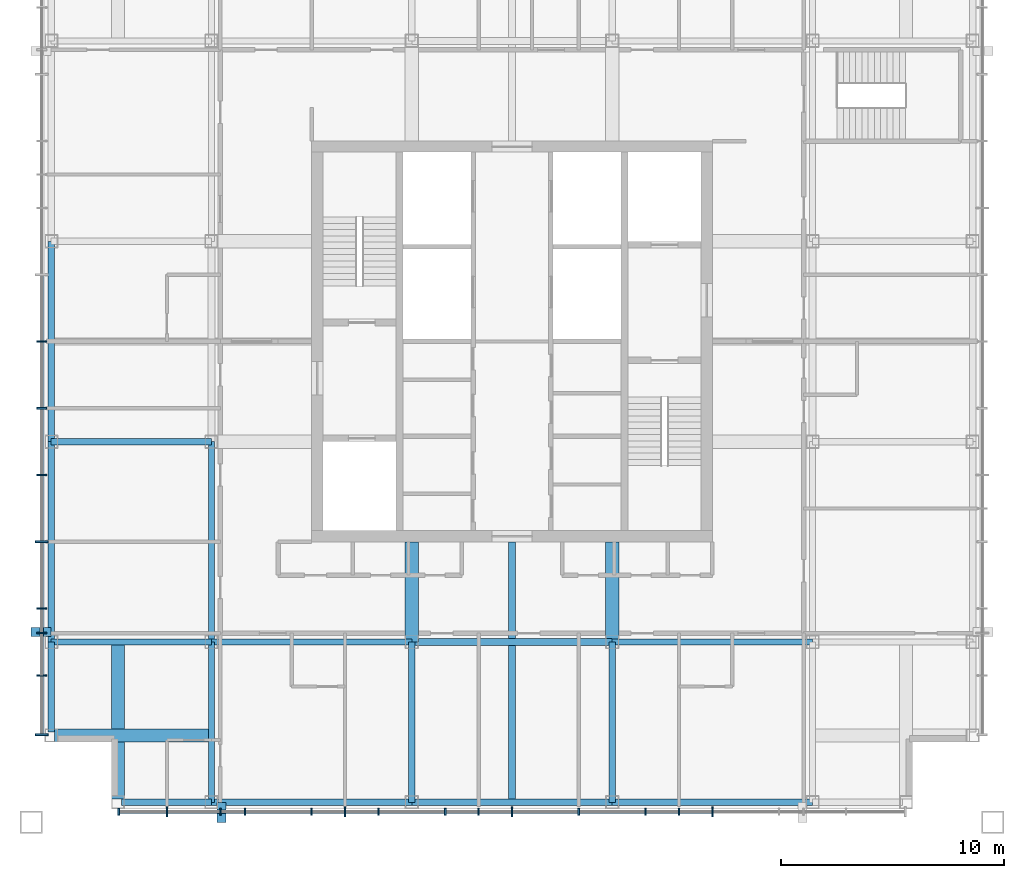
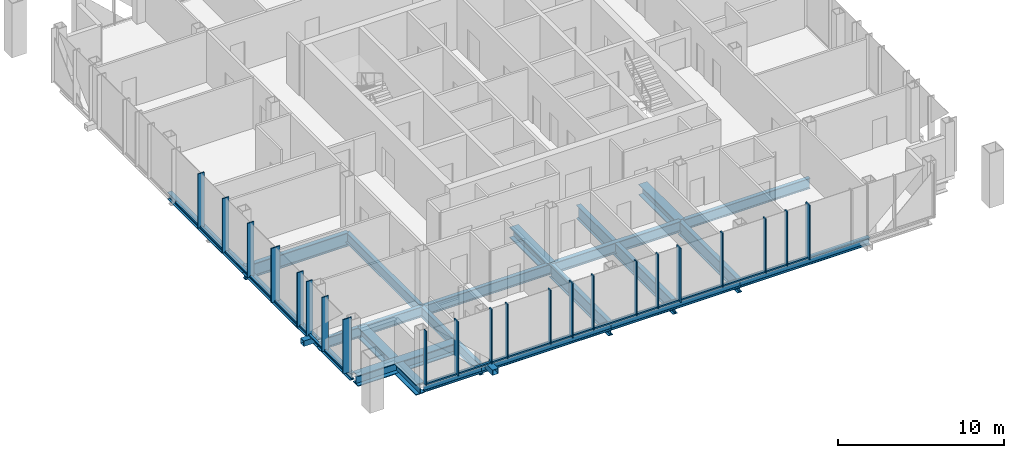
# One storey, part 2 of 11: 45 members, 21 beams, 2 elements without a shape of their own.
"""IFC4 building model written with IfcOpenShell, lengths in metres."""

from ifc_helpers import new_model, si_unit, direction, frame, origin, origin_2d, place, context, subcontext, project, spatial, rectangle, hollow_rectangle, i_section, extrude, material, layer, layer_set, material_profile, profile_set, type_object, element, aggregate, save


model = new_model("IFC4")

# Units and contexts
model_context = context("Model", 3, precision=1e-05, world=origin(), true_north=direction((0.0, 1.0)))
body_context = subcontext(model_context, "Body", "Model", "MODEL_VIEW")
ifc_project = project(units=[si_unit("LENGTHUNIT", "METRE"), si_unit("AREAUNIT", "SQUARE_METRE"), si_unit("VOLUMEUNIT", "CUBIC_METRE"), si_unit("PLANEANGLEUNIT", "RADIAN"), si_unit("MASSUNIT", "GRAM", prefix="KILO")], contexts=[model_context])

# Site, building, storey
site_placement = place(None, origin())
site = spatial("IfcSite", under=ifc_project, at=site_placement, CompositionType="ELEMENT")
building_placement = place(site_placement, origin())
building = spatial("IfcBuilding", under=site, at=building_placement, Name="Malebo Sky Hospital", CompositionType="ELEMENT")
storey_placement = place(building_placement, frame((0.0, 0.0, 282.0)))
storey = spatial("IfcBuildingStorey", under=building, at=storey_placement, Name="L68", CompositionType="ELEMENT", Elevation=282.0)

# Curtain wall, members
ifc_material_1 = material(Name="Anodised aluminium, natural silver", Category="aluminium")
ifc_layer_1 = layer(ifc_material_1, 0.25)
ifc_layer_set_1 = layer_set([ifc_layer_1], Name="WARD CURTAIN WALL EAST AND WEST")
curtain_wall_type_1 = type_object("IfcCurtainWallType", Name="WARD CURTAIN WALL EAST AND WEST", PredefinedType="NOTDEFINED", material=ifc_layer_set_1)
curtain_wall_1_placement = place(storey_placement, origin())
curtain_wall_1 = element("IfcCurtainWall", 1, at=curtain_wall_1_placement, inside=storey, type_object=curtain_wall_type_1, Name="EW curtain wall W", PredefinedType="NOTDEFINED")
ifc_material_profile_1 = material_profile(ifc_material_1, rectangle(XDim=0.14990234375, YDim=0.10009765625, at=origin_2d()), Name="ALUMINIUM TRANSOM 150x100")
ifc_profile_set_1 = profile_set([ifc_material_profile_1], Name="Anodised aluminium, natural silver")
member_type_1 = type_object("IfcMemberType", Name="ALUMINIUM TRANSOM 150x100", PredefinedType="USERDEFINED", material=ifc_profile_set_1)
member_1_placement = place(storey_placement, frame((38.875, 44.375, 0.050048828125), z_axis=(0.0, 1.0, 0.0), x_axis=(-1.0, 0.0, 0.0)))
member_1 = element("IfcMember", 2, at=member_1_placement, type_object=member_type_1, Name="Transom 1", ObjectType="TRANSOM", PredefinedType="USERDEFINED", context=body_context, shape_type="SweptSolid", body=[
    extrude(rectangle(XDim=0.14990234375, YDim=0.10009765625, at=origin_2d()), origin(), (0.0, 0.0, 1.0), 2.58740234375),
])
member_2_placement = place(storey_placement, frame((38.875, 47.03759765625, 0.050048828125), z_axis=(0.0, 1.0, 0.0), x_axis=(-1.0, 0.0, 0.0)))
member_2 = element("IfcMember", 3, at=member_2_placement, type_object=member_type_1, Name="Transom 2", ObjectType="TRANSOM", PredefinedType="USERDEFINED", context=body_context, shape_type="SweptSolid", body=[
    extrude(rectangle(XDim=0.14990234375, YDim=0.10009765625, at=origin_2d()), origin(), (0.0, 0.0, 1.0), 1.824951171875),
])
member_3_placement = place(storey_placement, frame((38.875, 48.9375, 0.050048828125), z_axis=(0.0, 1.0, 0.0), x_axis=(-1.0, 0.0, 0.0)))
member_3 = element("IfcMember", 4, at=member_3_placement, type_object=member_type_1, Name="Transom 3", ObjectType="TRANSOM", PredefinedType="USERDEFINED", context=body_context, shape_type="SweptSolid", body=[
    extrude(rectangle(XDim=0.14990234375, YDim=0.10009765625, at=origin_2d()), origin(), (0.0, 0.0, 1.0), 1.02490234375),
])
member_4_placement = place(storey_placement, frame((38.875, 50.03759765625, 0.050048828125), z_axis=(0.0, 1.0, 0.0), x_axis=(-1.0, 0.0, 0.0)))
member_4 = element("IfcMember", 5, at=member_4_placement, type_object=member_type_1, Name="Transom 4", ObjectType="TRANSOM", PredefinedType="USERDEFINED", context=body_context, shape_type="SweptSolid", body=[
    extrude(rectangle(XDim=0.14990234375, YDim=0.10009765625, at=origin_2d()), origin(), (0.0, 0.0, 1.0), 2.9248046875),
])
member_5_placement = place(storey_placement, frame((38.875, 53.03759765625, 0.050048828125), z_axis=(0.0, 1.0, 0.0), x_axis=(-1.0, 0.0, 0.0)))
member_5 = element("IfcMember", 6, at=member_5_placement, type_object=member_type_1, Name="Transom 5", ObjectType="TRANSOM", PredefinedType="USERDEFINED", context=body_context, shape_type="SweptSolid", body=[
    extrude(rectangle(XDim=0.14990234375, YDim=0.10009765625, at=origin_2d()), origin(), (0.0, 0.0, 1.0), 2.9248046875),
])
member_6_placement = place(storey_placement, frame((38.875, 56.03759765625, 0.050048828125), z_axis=(0.0, 1.0, 0.0), x_axis=(-1.0, 0.0, 0.0)))
member_6 = element("IfcMember", 7, at=member_6_placement, type_object=member_type_1, Name="Transom 6", ObjectType="TRANSOM", PredefinedType="USERDEFINED", context=body_context, shape_type="SweptSolid", body=[
    extrude(rectangle(XDim=0.14990234375, YDim=0.10009765625, at=origin_2d()), origin(), (0.0, 0.0, 1.0), 2.9248046875),
])
member_7_placement = place(storey_placement, frame((38.875, 59.03759765625, 0.050048828125), z_axis=(0.0, 1.0, 0.0), x_axis=(-1.0, 0.0, 0.0)))
member_7 = element("IfcMember", 8, at=member_7_placement, type_object=member_type_1, Name="Transom 7", ObjectType="TRANSOM", PredefinedType="USERDEFINED", context=body_context, shape_type="SweptSolid", body=[
    extrude(rectangle(XDim=0.14990234375, YDim=0.10009765625, at=origin_2d()), origin(), (0.0, 0.0, 1.0), 2.9248046875),
])
member_8_placement = place(storey_placement, frame((38.875, 62.03759765625, 0.050048828125), z_axis=(0.0, 1.0, 0.0), x_axis=(-1.0, 0.0, 0.0)))
member_8 = element("IfcMember", 9, at=member_8_placement, type_object=member_type_1, Name="Transom 8", ObjectType="TRANSOM", PredefinedType="USERDEFINED", context=body_context, shape_type="SweptSolid", body=[
    extrude(rectangle(XDim=0.14990234375, YDim=0.10009765625, at=origin_2d()), origin(), (0.0, 0.0, 1.0), 2.9248046875),
])

ifc_layer_2 = layer(ifc_material_1, 0.25)
ifc_layer_set_2 = layer_set([ifc_layer_2], Name="WARD CURTAIN WALL NORTH AND SOUTH")
curtain_wall_type_2 = type_object("IfcCurtainWallType", Name="WARD CURTAIN WALL NORTH AND SOUTH", PredefinedType="NOTDEFINED", material=ifc_layer_set_2)
curtain_wall_2_placement = place(storey_placement, origin())
curtain_wall_2 = element("IfcCurtainWall", 10, at=curtain_wall_2_placement, inside=storey, type_object=curtain_wall_type_2, Name="NS curtain wall S", PredefinedType="NOTDEFINED")
member_9_placement = place(storey_placement, frame((68.96240234375, 40.875, 0.050048828125), z_axis=(-1.0, 0.0, 0.0), x_axis=(0.0, -1.0, 0.0)))
member_9 = element("IfcMember", 11, at=member_9_placement, type_object=member_type_1, Name="Transom 5", ObjectType="TRANSOM", PredefinedType="USERDEFINED", context=body_context, shape_type="SweptSolid", body=[
    extrude(rectangle(XDim=0.14990234375, YDim=0.10009765625, at=origin_2d()), origin(), (0.0, 0.0, 1.0), 1.4248046875),
])
member_10_placement = place(storey_placement, frame((67.46240234375, 40.875, 0.050048828125), z_axis=(-1.0, 0.0, 0.0), x_axis=(0.0, -1.0, 0.0)))
member_10 = element("IfcMember", 12, at=member_10_placement, type_object=member_type_1, Name="Transom 6", ObjectType="TRANSOM", PredefinedType="USERDEFINED", context=body_context, shape_type="SweptSolid", body=[
    extrude(rectangle(XDim=0.14990234375, YDim=0.10009765625, at=origin_2d()), origin(), (0.0, 0.0, 1.0), 1.4248046875),
])
member_11_placement = place(storey_placement, frame((65.96240234375, 40.875, 0.050048828125), z_axis=(-1.0, 0.0, 0.0), x_axis=(0.0, -1.0, 0.0)))
member_11 = element("IfcMember", 13, at=member_11_placement, type_object=member_type_1, Name="Transom 7", ObjectType="TRANSOM", PredefinedType="USERDEFINED", context=body_context, shape_type="SweptSolid", body=[
    extrude(rectangle(XDim=0.14990234375, YDim=0.10009765625, at=origin_2d()), origin(), (0.0, 0.0, 1.0), 2.9248046875),
])
member_12_placement = place(storey_placement, frame((62.96240234375, 40.875, 0.050048828125), z_axis=(-1.0, 0.0, 0.0), x_axis=(0.0, -1.0, 0.0)))
member_12 = element("IfcMember", 14, at=member_12_placement, type_object=member_type_1, Name="Transom 8", ObjectType="TRANSOM", PredefinedType="USERDEFINED", context=body_context, shape_type="SweptSolid", body=[
    extrude(rectangle(XDim=0.14990234375, YDim=0.10009765625, at=origin_2d()), origin(), (0.0, 0.0, 1.0), 2.9248046875),
])
member_13_placement = place(storey_placement, frame((59.96240234375, 40.875, 0.050048828125), z_axis=(-1.0, 0.0, 0.0), x_axis=(0.0, -1.0, 0.0)))
member_13 = element("IfcMember", 15, at=member_13_placement, type_object=member_type_1, Name="Transom 9", ObjectType="TRANSOM", PredefinedType="USERDEFINED", context=body_context, shape_type="SweptSolid", body=[
    extrude(rectangle(XDim=0.14990234375, YDim=0.10009765625, at=origin_2d()), origin(), (0.0, 0.0, 1.0), 1.4248046875),
])
member_14_placement = place(storey_placement, frame((58.46240234375, 40.875, 0.050048828125), z_axis=(-1.0, 0.0, 0.0), x_axis=(0.0, -1.0, 0.0)))
member_14 = element("IfcMember", 16, at=member_14_placement, type_object=member_type_1, Name="Transom 10", ObjectType="TRANSOM", PredefinedType="USERDEFINED", context=body_context, shape_type="SweptSolid", body=[
    extrude(rectangle(XDim=0.14990234375, YDim=0.10009765625, at=origin_2d()), origin(), (0.0, 0.0, 1.0), 1.4248046875),
])
member_15_placement = place(storey_placement, frame((56.96240234375, 40.875, 0.050048828125), z_axis=(-1.0, 0.0, 0.0), x_axis=(0.0, -1.0, 0.0)))
member_15 = element("IfcMember", 17, at=member_15_placement, type_object=member_type_1, Name="Transom 11", ObjectType="TRANSOM", PredefinedType="USERDEFINED", context=body_context, shape_type="SweptSolid", body=[
    extrude(rectangle(XDim=0.14990234375, YDim=0.10009765625, at=origin_2d()), origin(), (0.0, 0.0, 1.0), 2.9248046875),
])
member_16_placement = place(storey_placement, frame((53.96240234375, 40.875, 0.050048828125), z_axis=(-1.0, 0.0, 0.0), x_axis=(0.0, -1.0, 0.0)))
member_16 = element("IfcMember", 18, at=member_16_placement, type_object=member_type_1, Name="Transom 12", ObjectType="TRANSOM", PredefinedType="USERDEFINED", context=body_context, shape_type="SweptSolid", body=[
    extrude(rectangle(XDim=0.14990234375, YDim=0.10009765625, at=origin_2d()), origin(), (0.0, 0.0, 1.0), 1.4248046875),
])
member_17_placement = place(storey_placement, frame((52.46240234375, 40.875, 0.050048828125), z_axis=(-1.0, 0.0, 0.0), x_axis=(0.0, -1.0, 0.0)))
member_17 = element("IfcMember", 19, at=member_17_placement, type_object=member_type_1, Name="Transom 13", ObjectType="TRANSOM", PredefinedType="USERDEFINED", context=body_context, shape_type="SweptSolid", body=[
    extrude(rectangle(XDim=0.14990234375, YDim=0.10009765625, at=origin_2d()), origin(), (0.0, 0.0, 1.0), 1.4248046875),
])
member_18_placement = place(storey_placement, frame((50.96240234375, 40.875, 0.050048828125), z_axis=(-1.0, 0.0, 0.0), x_axis=(0.0, -1.0, 0.0)))
member_18 = element("IfcMember", 20, at=member_18_placement, type_object=member_type_1, Name="Transom 14", ObjectType="TRANSOM", PredefinedType="USERDEFINED", context=body_context, shape_type="SweptSolid", body=[
    extrude(rectangle(XDim=0.14990234375, YDim=0.10009765625, at=origin_2d()), origin(), (0.0, 0.0, 1.0), 2.9248046875),
])
member_19_placement = place(storey_placement, frame((47.96240234375, 40.875, 0.050048828125), z_axis=(-1.0, 0.0, 0.0), x_axis=(0.0, -1.0, 0.0)))
member_19 = element("IfcMember", 21, at=member_19_placement, type_object=member_type_1, Name="Transom 15", ObjectType="TRANSOM", PredefinedType="USERDEFINED", context=body_context, shape_type="SweptSolid", body=[
    extrude(rectangle(XDim=0.14990234375, YDim=0.10009765625, at=origin_2d()), origin(), (0.0, 0.0, 1.0), 1.02490234375),
])
member_20_placement = place(storey_placement, frame((46.862548828125, 40.875, 0.050048828125), z_axis=(-1.0, 0.0, 0.0), x_axis=(0.0, -1.0, 0.0)))
member_20 = element("IfcMember", 22, at=member_20_placement, type_object=member_type_1, Name="Transom 16", ObjectType="TRANSOM", PredefinedType="USERDEFINED", context=body_context, shape_type="SweptSolid", body=[
    extrude(rectangle(XDim=0.14990234375, YDim=0.10009765625, at=origin_2d()), origin(), (0.0, 0.0, 1.0), 2.324951171875),
])
member_21_placement = place(storey_placement, frame((44.46240234375, 40.875, 0.050048828125), z_axis=(-1.0, 0.0, 0.0), x_axis=(0.0, -1.0, 0.0)))
member_21 = element("IfcMember", 23, at=member_21_placement, type_object=member_type_1, Name="Transom 17", ObjectType="TRANSOM", PredefinedType="USERDEFINED", context=body_context, shape_type="SweptSolid", body=[
    extrude(rectangle(XDim=0.14990234375, YDim=0.10009765625, at=origin_2d()), origin(), (0.0, 0.0, 1.0), 2.08740234375),
])

# Members
ifc_material_2 = material(Name="Steel S355", Category="steel")
ifc_material_profile_2 = material_profile(ifc_material_2, hollow_rectangle(XDim=0.39990234375, YDim=0.39990234375, WallThickness=0.02001953125, at=origin_2d()), Name="SHS 400x20")
ifc_profile_set_2 = profile_set([ifc_material_profile_2], Name="Steel S355")
member_type_2 = type_object("IfcMemberType", Name="BRACE STRUT SHS 400x20", PredefinedType="STRUT", material=ifc_profile_set_2)
for number, where, z_axis, x_axis, name in (
    (24, (46.94384765625, 40.39990234375, -0.39990234375), (0.0, 1.0, 0.0), (-1.0, 0.0, 0.0), "Brace strut DS2 L68"),
    (25, (38.39990234375, 48.94384765625, -0.39990234375), (1.0, 0.0, 0.0), (0.0, 1.0, 0.0), "Brace strut DW1 L68"),
):
    element("IfcMember", number, at=place(storey_placement, frame(where, z_axis=z_axis, x_axis=x_axis)), inside=storey, type_object=member_type_2, Name=name, PredefinedType="STRUT", context=body_context, shape_type="SweptSolid", body=[
        extrude(hollow_rectangle(XDim=0.39990234375, YDim=0.39990234375, WallThickness=0.02001953125, at=origin_2d()), origin(), (0.0, 0.0, 1.0), 0.900146484375),
    ])

# Member
ifc_material_profile_3 = material_profile(ifc_material_1, rectangle(XDim=0.074951171875, YDim=0.300048828125, at=origin_2d()), Name="CW1 ALUMINIUM FIN MULLION 75x300")
ifc_profile_set_3 = profile_set([ifc_material_profile_3], Name="Anodised aluminium, natural silver")
member_type_3 = type_object("IfcMemberType", Name="CW1 ALUMINIUM FIN MULLION 75x300", PredefinedType="MULLION", material=ifc_profile_set_3)
member_22_placement = place(storey_placement, frame((67.5, 40.875, 0.0), z_axis=(0.0, 0.0, 1.0), x_axis=(-1.0, 0.0, 0.0)))
member_22 = element("IfcMember", 26, at=member_22_placement, type_object=member_type_3, Name="Fin mullion 6", PredefinedType="MULLION", context=body_context, shape_type="SweptSolid", body=[
    extrude(rectangle(XDim=0.074951171875, YDim=0.300048828125, at=origin_2d()), origin(), (0.0, 0.0, 1.0), 4.0),
])

member_23_placement = place(storey_placement, frame((66.0, 40.875, 0.0), z_axis=(0.0, 0.0, 1.0), x_axis=(-1.0, 0.0, 0.0)))
member_23 = element("IfcMember", 27, at=member_23_placement, type_object=member_type_3, Name="Fin mullion 7", PredefinedType="MULLION", context=body_context, shape_type="SweptSolid", body=[
    extrude(rectangle(XDim=0.074951171875, YDim=0.300048828125, at=origin_2d()), origin(), (0.0, 0.0, 1.0), 4.0),
])

member_24_placement = place(storey_placement, frame((63.0, 40.875, 0.0), z_axis=(0.0, 0.0, 1.0), x_axis=(-1.0, 0.0, 0.0)))
member_24 = element("IfcMember", 28, at=member_24_placement, type_object=member_type_3, Name="Fin mullion 8", PredefinedType="MULLION", context=body_context, shape_type="SweptSolid", body=[
    extrude(rectangle(XDim=0.074951171875, YDim=0.300048828125, at=origin_2d()), origin(), (0.0, 0.0, 1.0), 4.0),
])

member_25_placement = place(storey_placement, frame((58.5, 40.875, 0.0), z_axis=(0.0, 0.0, 1.0), x_axis=(-1.0, 0.0, 0.0)))
member_25 = element("IfcMember", 29, at=member_25_placement, type_object=member_type_3, Name="Fin mullion 10", PredefinedType="MULLION", context=body_context, shape_type="SweptSolid", body=[
    extrude(rectangle(XDim=0.074951171875, YDim=0.300048828125, at=origin_2d()), origin(), (0.0, 0.0, 1.0), 4.0),
])

member_26_placement = place(storey_placement, frame((57.0, 40.875, 0.0), z_axis=(0.0, 0.0, 1.0), x_axis=(-1.0, 0.0, 0.0)))
member_26 = element("IfcMember", 30, at=member_26_placement, type_object=member_type_3, Name="Fin mullion 11", PredefinedType="MULLION", context=body_context, shape_type="SweptSolid", body=[
    extrude(rectangle(XDim=0.074951171875, YDim=0.300048828125, at=origin_2d()), origin(), (0.0, 0.0, 1.0), 4.0),
])

member_27_placement = place(storey_placement, frame((54.0, 40.875, 0.0), z_axis=(0.0, 0.0, 1.0), x_axis=(-1.0, 0.0, 0.0)))
member_27 = element("IfcMember", 31, at=member_27_placement, type_object=member_type_3, Name="Fin mullion 12", PredefinedType="MULLION", context=body_context, shape_type="SweptSolid", body=[
    extrude(rectangle(XDim=0.074951171875, YDim=0.300048828125, at=origin_2d()), origin(), (0.0, 0.0, 1.0), 4.0),
])

member_28_placement = place(storey_placement, frame((51.0, 40.875, 0.0), z_axis=(0.0, 0.0, 1.0), x_axis=(-1.0, 0.0, 0.0)))
member_28 = element("IfcMember", 32, at=member_28_placement, type_object=member_type_3, Name="Fin mullion 14", PredefinedType="MULLION", context=body_context, shape_type="SweptSolid", body=[
    extrude(rectangle(XDim=0.074951171875, YDim=0.300048828125, at=origin_2d()), origin(), (0.0, 0.0, 1.0), 4.0),
])

member_29_placement = place(storey_placement, frame((48.0, 40.875, 0.0), z_axis=(0.0, 0.0, 1.0), x_axis=(-1.0, 0.0, 0.0)))
member_29 = element("IfcMember", 33, at=member_29_placement, type_object=member_type_3, Name="Fin mullion 15", PredefinedType="MULLION", context=body_context, shape_type="SweptSolid", body=[
    extrude(rectangle(XDim=0.074951171875, YDim=0.300048828125, at=origin_2d()), origin(), (0.0, 0.0, 1.0), 4.0),
])

member_30_placement = place(storey_placement, frame((46.89990234375, 40.875, 0.0), z_axis=(0.0, 0.0, 1.0), x_axis=(-1.0, 0.0, 0.0)))
member_30 = element("IfcMember", 34, at=member_30_placement, type_object=member_type_3, Name="Fin mullion 16", PredefinedType="MULLION", context=body_context, shape_type="SweptSolid", body=[
    extrude(rectangle(XDim=0.074951171875, YDim=0.300048828125, at=origin_2d()), origin(), (0.0, 0.0, 1.0), 4.0),
])

member_31_placement = place(storey_placement, frame((42.33740234375, 40.875, 0.0), z_axis=(0.0, 0.0, 1.0), x_axis=(-1.0, 0.0, 0.0)))
member_31 = element("IfcMember", 35, at=member_31_placement, type_object=member_type_3, Name="Fin mullion 18", PredefinedType="MULLION", context=body_context, shape_type="SweptSolid", body=[
    extrude(rectangle(XDim=0.074951171875, YDim=0.300048828125, at=origin_2d()), origin(), (0.0, 0.0, 1.0), 4.0),
])

ifc_material_profile_4 = material_profile(ifc_material_1, rectangle(XDim=0.074951171875, YDim=0.449951171875, at=origin_2d()), Name="CW1 ALUMINIUM FIN MULLION 75x450")
ifc_profile_set_4 = profile_set([ifc_material_profile_4], Name="Anodised aluminium, natural silver")
member_type_4 = type_object("IfcMemberType", Name="CW1 ALUMINIUM FIN MULLION 75x450", PredefinedType="MULLION", material=ifc_profile_set_4)
member_32_placement = place(storey_placement, frame((69.0, 40.875, 0.0), z_axis=(0.0, 0.0, 1.0), x_axis=(-1.0, 0.0, 0.0)))
member_32 = element("IfcMember", 36, at=member_32_placement, type_object=member_type_4, Name="Fin mullion 5", PredefinedType="MULLION", context=body_context, shape_type="SweptSolid", body=[
    extrude(rectangle(XDim=0.074951171875, YDim=0.449951171875, at=origin_2d()), origin(), (0.0, 0.0, 1.0), 4.0),
])

member_33_placement = place(storey_placement, frame((60.0, 40.875, 0.0), z_axis=(0.0, 0.0, 1.0), x_axis=(-1.0, 0.0, 0.0)))
member_33 = element("IfcMember", 37, at=member_33_placement, type_object=member_type_4, Name="Fin mullion 9", PredefinedType="MULLION", context=body_context, shape_type="SweptSolid", body=[
    extrude(rectangle(XDim=0.074951171875, YDim=0.449951171875, at=origin_2d()), origin(), (0.0, 0.0, 1.0), 4.0),
])

member_34_placement = place(storey_placement, frame((52.5, 40.875, 0.0), z_axis=(0.0, 0.0, 1.0), x_axis=(-1.0, 0.0, 0.0)))
member_34 = element("IfcMember", 38, at=member_34_placement, type_object=member_type_4, Name="Fin mullion 13", PredefinedType="MULLION", context=body_context, shape_type="SweptSolid", body=[
    extrude(rectangle(XDim=0.074951171875, YDim=0.449951171875, at=origin_2d()), origin(), (0.0, 0.0, 1.0), 4.0),
])

member_35_placement = place(storey_placement, frame((44.5, 40.875, 0.0), z_axis=(0.0, 0.0, 1.0), x_axis=(-1.0, 0.0, 0.0)))
member_35 = element("IfcMember", 39, at=member_35_placement, type_object=member_type_4, Name="Fin mullion 17", PredefinedType="MULLION", context=body_context, shape_type="SweptSolid", body=[
    extrude(rectangle(XDim=0.074951171875, YDim=0.449951171875, at=origin_2d()), origin(), (0.0, 0.0, 1.0), 4.0),
])

aggregate(curtain_wall_2, [member_32, member_22, member_23, member_24, member_33, member_25, member_26, member_27, member_34, member_28, member_29, member_30, member_35, member_31, member_9, member_10, member_11, member_12, member_13, member_14, member_15, member_16, member_17, member_18, member_19, member_20, member_21])

ifc_material_profile_5 = material_profile(ifc_material_1, rectangle(XDim=0.074951171875, YDim=0.449951171875, at=origin_2d()), Name="CW2 ALUMINIUM FIN MULLION 75x450")
ifc_profile_set_5 = profile_set([ifc_material_profile_5], Name="Anodised aluminium, natural silver")
member_type_5 = type_object("IfcMemberType", Name="CW2 ALUMINIUM FIN MULLION 75x450", PredefinedType="MULLION", material=ifc_profile_set_5)
member_36_placement = place(storey_placement, frame((38.875, 47.0, 0.0), z_axis=(0.0, 0.0, 1.0), x_axis=(0.0, 1.0, 0.0)))
member_36 = element("IfcMember", 40, at=member_36_placement, type_object=member_type_5, Name="Fin mullion 2", PredefinedType="MULLION", context=body_context, shape_type="SweptSolid", body=[
    extrude(rectangle(XDim=0.074951171875, YDim=0.449951171875, at=origin_2d()), origin(), (0.0, 0.0, 1.0), 4.0),
])

member_37_placement = place(storey_placement, frame((38.875, 48.89990234375, 0.0), z_axis=(0.0, 0.0, 1.0), x_axis=(0.0, 1.0, 0.0)))
member_37 = element("IfcMember", 41, at=member_37_placement, type_object=member_type_5, Name="Fin mullion 3", PredefinedType="MULLION", context=body_context, shape_type="SweptSolid", body=[
    extrude(rectangle(XDim=0.074951171875, YDim=0.449951171875, at=origin_2d()), origin(), (0.0, 0.0, 1.0), 4.0),
])

member_38_placement = place(storey_placement, frame((38.875, 50.0, 0.0), z_axis=(0.0, 0.0, 1.0), x_axis=(0.0, 1.0, 0.0)))
member_38 = element("IfcMember", 42, at=member_38_placement, type_object=member_type_5, Name="Fin mullion 4", PredefinedType="MULLION", context=body_context, shape_type="SweptSolid", body=[
    extrude(rectangle(XDim=0.074951171875, YDim=0.449951171875, at=origin_2d()), origin(), (0.0, 0.0, 1.0), 4.0),
])

member_39_placement = place(storey_placement, frame((38.875, 56.0, 0.0), z_axis=(0.0, 0.0, 1.0), x_axis=(0.0, 1.0, 0.0)))
member_39 = element("IfcMember", 43, at=member_39_placement, type_object=member_type_5, Name="Fin mullion 6", PredefinedType="MULLION", context=body_context, shape_type="SweptSolid", body=[
    extrude(rectangle(XDim=0.074951171875, YDim=0.449951171875, at=origin_2d()), origin(), (0.0, 0.0, 1.0), 4.0),
])

member_40_placement = place(storey_placement, frame((38.875, 59.0, 0.0), z_axis=(0.0, 0.0, 1.0), x_axis=(0.0, 1.0, 0.0)))
member_40 = element("IfcMember", 44, at=member_40_placement, type_object=member_type_5, Name="Fin mullion 7", PredefinedType="MULLION", context=body_context, shape_type="SweptSolid", body=[
    extrude(rectangle(XDim=0.074951171875, YDim=0.449951171875, at=origin_2d()), origin(), (0.0, 0.0, 1.0), 4.0),
])

member_41_placement = place(storey_placement, frame((38.875, 62.0, 0.0), z_axis=(0.0, 0.0, 1.0), x_axis=(0.0, 1.0, 0.0)))
member_41 = element("IfcMember", 45, at=member_41_placement, type_object=member_type_5, Name="Fin mullion 8", PredefinedType="MULLION", context=body_context, shape_type="SweptSolid", body=[
    extrude(rectangle(XDim=0.074951171875, YDim=0.449951171875, at=origin_2d()), origin(), (0.0, 0.0, 1.0), 4.0),
])

ifc_material_profile_6 = material_profile(ifc_material_1, rectangle(XDim=0.074951171875, YDim=0.60009765625, at=origin_2d()), Name="CW2 ALUMINIUM FIN MULLION 75x600")
ifc_profile_set_6 = profile_set([ifc_material_profile_6], Name="Anodised aluminium, natural silver")
member_type_6 = type_object("IfcMemberType", Name="CW2 ALUMINIUM FIN MULLION 75x600", PredefinedType="MULLION", material=ifc_profile_set_6)
member_42_placement = place(storey_placement, frame((38.875, 44.33740234375, 0.0), z_axis=(0.0, 0.0, 1.0), x_axis=(0.0, 1.0, 0.0)))
member_42 = element("IfcMember", 46, at=member_42_placement, type_object=member_type_6, Name="Fin mullion 1", PredefinedType="MULLION", context=body_context, shape_type="SweptSolid", body=[
    extrude(rectangle(XDim=0.074951171875, YDim=0.60009765625, at=origin_2d()), origin(), (0.0, 0.0, 1.0), 4.0),
])

member_43_placement = place(storey_placement, frame((38.875, 53.0, 0.0), z_axis=(0.0, 0.0, 1.0), x_axis=(0.0, 1.0, 0.0)))
member_43 = element("IfcMember", 47, at=member_43_placement, type_object=member_type_6, Name="Fin mullion 5", PredefinedType="MULLION", context=body_context, shape_type="SweptSolid", body=[
    extrude(rectangle(XDim=0.074951171875, YDim=0.60009765625, at=origin_2d()), origin(), (0.0, 0.0, 1.0), 4.0),
])

aggregate(curtain_wall_1, [member_42, member_36, member_37, member_38, member_43, member_39, member_40, member_41, member_1, member_2, member_3, member_4, member_5, member_6, member_7, member_8])

# Beams
ifc_material_profile_7 = material_profile(ifc_material_2, i_section(OverallWidth=0.305908203125, OverallDepth=0.52392578125, WebThickness=0.02099609375, FlangeThickness=0.0400390625, FilletRadius=0.027099609375, at=origin_2d()), Name="HEM 500")
ifc_profile_set_7 = profile_set([ifc_material_profile_7], Name="Steel S355")
beam_type_1 = type_object("IfcBeamType", Name="EDGE BEAM HEM 500", PredefinedType="BEAM", material=ifc_profile_set_7)
beam_1_placement = place(storey_placement, frame((39.300048828125, 44.449951171875, -0.511962890625), z_axis=(0.0, 1.0, 0.0), x_axis=(-1.0, 0.0, 0.0)))
element("IfcBeam", 48, at=beam_1_placement, inside=storey, type_object=beam_type_1, Name="Beam 000 L68", PredefinedType="BEAM", context=body_context, shape_type="SweptSolid", body=[
    extrude(i_section(OverallWidth=0.305908203125, OverallDepth=0.52392578125, WebThickness=0.02099609375, FlangeThickness=0.0400390625, FilletRadius=0.027099609375, at=origin_2d()), origin(), (0.0, 0.0, 1.0), 4.050048828125),
])
for number, where, z_axis, x_axis, name in (
    (49, (39.300048828125, 48.5, -0.511962890625), (0.0, 1.0, 0.0), (-1.0, 0.0, 0.0), "Beam 001 L68"),
    (50, (39.300048828125, 57.5, -0.511962890625), (0.0, 1.0, 0.0), (-1.0, 0.0, 0.0), "Beam 002 L68"),
):
    element("IfcBeam", number, at=place(storey_placement, frame(where, z_axis=z_axis, x_axis=x_axis)), inside=storey, type_object=beam_type_1, Name=name, PredefinedType="BEAM", context=body_context, shape_type="SweptSolid", body=[
        extrude(i_section(OverallWidth=0.305908203125, OverallDepth=0.52392578125, WebThickness=0.02099609375, FlangeThickness=0.0400390625, FilletRadius=0.027099609375, at=origin_2d()), origin(), (0.0, 0.0, 1.0), 9.0),
    ])
beam_2_placement = place(storey_placement, frame((42.449951171875, 41.300048828125, -0.511962890625), z_axis=(1.0, 0.0, 0.0), x_axis=(0.0, 1.0, 0.0)))
element("IfcBeam", 51, at=beam_2_placement, inside=storey, type_object=beam_type_1, Name="Beam 034 L68", PredefinedType="BEAM", context=body_context, shape_type="SweptSolid", body=[
    extrude(i_section(OverallWidth=0.305908203125, OverallDepth=0.52392578125, WebThickness=0.02099609375, FlangeThickness=0.0400390625, FilletRadius=0.027099609375, at=origin_2d()), origin(), (0.0, 0.0, 1.0), 4.050048828125),
])
for number, where, z_axis, x_axis, name in (
    (52, (46.5, 41.300048828125, -0.511962890625), (1.0, 0.0, 0.0), (0.0, 1.0, 0.0), "Beam 035 L68"),
    (53, (55.5, 41.300048828125, -0.511962890625), (1.0, 0.0, 0.0), (0.0, 1.0, 0.0), "Beam 036 L68"),
    (54, (64.5, 41.300048828125, -0.511962890625), (1.0, 0.0, 0.0), (0.0, 1.0, 0.0), "Beam 037 L68"),
):
    element("IfcBeam", number, at=place(storey_placement, frame(where, z_axis=z_axis, x_axis=x_axis)), inside=storey, type_object=beam_type_1, Name=name, PredefinedType="BEAM", context=body_context, shape_type="SweptSolid", body=[
        extrude(i_section(OverallWidth=0.305908203125, OverallDepth=0.52392578125, WebThickness=0.02099609375, FlangeThickness=0.0400390625, FilletRadius=0.027099609375, at=origin_2d()), origin(), (0.0, 0.0, 1.0), 9.0),
    ])
ifc_material_profile_8 = material_profile(ifc_material_2, i_section(OverallWidth=0.300048828125, OverallDepth=1.0, WebThickness=0.01904296875, FlangeThickness=0.035888671875, FilletRadius=0.030029296875, at=origin_2d()), Name="HEB 1000")
ifc_profile_set_8 = profile_set([ifc_material_profile_8], Name="Steel S355")
beam_type_2 = type_object("IfcBeamType", Name="FLOOR BEAM HEB 1000", PredefinedType="BEAM", material=ifc_profile_set_8)
beam_3_placement = place(storey_placement, frame((55.5, 41.300048828125, -0.75), z_axis=(0.0, 1.0, 0.0), x_axis=(-1.0, 0.0, 0.0)))
element("IfcBeam", 55, at=beam_3_placement, inside=storey, type_object=beam_type_2, Name="Beam 012 L68", PredefinedType="BEAM", context=body_context, shape_type="SweptSolid", body=[
    extrude(i_section(OverallWidth=0.300048828125, OverallDepth=1.0, WebThickness=0.01904296875, FlangeThickness=0.035888671875, FilletRadius=0.030029296875, at=origin_2d()), origin(), (0.0, 0.0, 1.0), 7.199951171875),
])
beam_4_placement = place(storey_placement, frame((60.0, 41.300048828125, -0.75), z_axis=(0.0, 1.0, 0.0), x_axis=(-1.0, 0.0, 0.0)))
element("IfcBeam", 56, at=beam_4_placement, inside=storey, type_object=beam_type_2, Name="Beam 016 L68", PredefinedType="BEAM", context=body_context, shape_type="SweptSolid", body=[
    extrude(i_section(OverallWidth=0.300048828125, OverallDepth=1.0, WebThickness=0.01904296875, FlangeThickness=0.035888671875, FilletRadius=0.030029296875, at=origin_2d()), origin(), (0.0, 0.0, 1.0), 11.699951171875),
])
for number, where, z_axis, x_axis, name in (
    (57, (64.5, 41.300048828125, -0.75), (0.0, 1.0, 0.0), (-1.0, 0.0, 0.0), "Beam 018 L68"),
    (58, (39.300048828125, 57.5, -0.75), (1.0, 0.0, 0.0), (0.0, 1.0, 0.0), "Beam 046 L68"),
):
    element("IfcBeam", number, at=place(storey_placement, frame(where, z_axis=z_axis, x_axis=x_axis)), inside=storey, type_object=beam_type_2, Name=name, PredefinedType="BEAM", context=body_context, shape_type="SweptSolid", body=[
        extrude(i_section(OverallWidth=0.300048828125, OverallDepth=1.0, WebThickness=0.01904296875, FlangeThickness=0.035888671875, FilletRadius=0.030029296875, at=origin_2d()), origin(), (0.0, 0.0, 1.0), 7.199951171875),
    ])
ifc_material_profile_9 = material_profile(ifc_material_2, i_section(OverallWidth=0.26708984375, OverallDepth=0.761962890625, WebThickness=0.014404296875, FlangeThickness=0.021484375, FilletRadius=0.01708984375, at=origin_2d()), Name="IPE 750x173")
ifc_profile_set_9 = profile_set([ifc_material_profile_9], Name="Steel S355")
beam_type_3 = type_object("IfcBeamType", Name="FLOOR BEAM IPE 750x173", PredefinedType="BEAM", material=ifc_profile_set_9)
for number, where, z_axis, x_axis, name in (
    (59, (46.5, 48.5, -0.631103515625), (0.0, 1.0, 0.0), (-1.0, 0.0, 0.0), "Beam 008 L68"),
    (60, (46.5, 48.5, -0.631103515625), (1.0, 0.0, 0.0), (0.0, 1.0, 0.0), "Beam 042 L68"),
    (61, (64.5, 48.5, -0.631103515625), (1.0, 0.0, 0.0), (0.0, 1.0, 0.0), "Beam 044 L68"),
):
    element("IfcBeam", number, at=place(storey_placement, frame(where, z_axis=z_axis, x_axis=x_axis)), inside=storey, type_object=beam_type_3, Name=name, PredefinedType="BEAM", context=body_context, shape_type="SweptSolid", body=[
        extrude(i_section(OverallWidth=0.26708984375, OverallDepth=0.761962890625, WebThickness=0.014404296875, FlangeThickness=0.021484375, FilletRadius=0.01708984375, at=origin_2d()), origin(), (0.0, 0.0, 1.0), 9.0),
    ])
ifc_material_profile_10 = material_profile(ifc_material_2, i_section(OverallWidth=0.60009765625, OverallDepth=0.800048828125, WebThickness=0.0400390625, FlangeThickness=0.06005859375, at=origin_2d()), Name="PG 800x600x40x60")
ifc_profile_set_10 = profile_set([ifc_material_profile_10], Name="Steel S355")
beam_type_4 = type_object("IfcBeamType", Name="FLOOR BEAM PG 800x600x40x60", PredefinedType="BEAM", material=ifc_profile_set_10)
beam_5_placement = place(storey_placement, frame((42.300048828125, 41.449951171875, -0.64990234375), z_axis=(0.0, 1.0, 0.0), x_axis=(-1.0, 0.0, 0.0)))
element("IfcBeam", 62, at=beam_5_placement, inside=storey, type_object=beam_type_4, Name="Beam 005 L68", PredefinedType="BEAM", context=body_context, shape_type="SweptSolid", body=[
    extrude(i_section(OverallWidth=0.60009765625, OverallDepth=0.800048828125, WebThickness=0.0400390625, FlangeThickness=0.06005859375, at=origin_2d()), origin(), (0.0, 0.0, 1.0), 7.050048828125),
])
for number, where, z_axis, x_axis, name in (
    (63, (55.5, 48.5, -0.64990234375), (0.0, 1.0, 0.0), (-1.0, 0.0, 0.0), "Beam 013 L68"),
    (64, (64.5, 48.5, -0.64990234375), (0.0, 1.0, 0.0), (-1.0, 0.0, 0.0), "Beam 019 L68"),
):
    element("IfcBeam", number, at=place(storey_placement, frame(where, z_axis=z_axis, x_axis=x_axis)), inside=storey, type_object=beam_type_4, Name=name, PredefinedType="BEAM", context=body_context, shape_type="SweptSolid", body=[
        extrude(i_section(OverallWidth=0.60009765625, OverallDepth=0.800048828125, WebThickness=0.0400390625, FlangeThickness=0.06005859375, at=origin_2d()), origin(), (0.0, 0.0, 1.0), 4.5),
    ])
beam_6_placement = place(storey_placement, frame((39.449951171875, 44.300048828125, -0.64990234375), z_axis=(1.0, 0.0, 0.0), x_axis=(0.0, 1.0, 0.0)))
element("IfcBeam", 65, at=beam_6_placement, inside=storey, type_object=beam_type_4, Name="Beam 039 L68", PredefinedType="BEAM", context=body_context, shape_type="SweptSolid", body=[
    extrude(i_section(OverallWidth=0.60009765625, OverallDepth=0.800048828125, WebThickness=0.0400390625, FlangeThickness=0.06005859375, at=origin_2d()), origin(), (0.0, 0.0, 1.0), 7.050048828125),
])
ifc_material_profile_11 = material_profile(ifc_material_2, i_section(OverallWidth=0.262939453125, OverallDepth=0.7529296875, WebThickness=0.011474609375, FlangeThickness=0.01708984375, FilletRadius=0.01708984375, at=origin_2d()), Name="IPE 750x137")
ifc_profile_set_11 = profile_set([ifc_material_profile_11], Name="Steel S355")
beam_type_5 = type_object("IfcBeamType", Name="FLOOR GIRDER IPE 750x137", PredefinedType="BEAM", material=ifc_profile_set_11)
for number, where, z_axis, x_axis, name in (
    (66, (46.5, 41.300048828125, -0.62646484375), (0.0, 1.0, 0.0), (-1.0, 0.0, 0.0), "Beam 007 L68"),
    (67, (39.300048828125, 48.5, -0.62646484375), (1.0, 0.0, 0.0), (0.0, 1.0, 0.0), "Beam 041 L68"),
):
    element("IfcBeam", number, at=place(storey_placement, frame(where, z_axis=z_axis, x_axis=x_axis)), inside=storey, type_object=beam_type_5, Name=name, PredefinedType="BEAM", context=body_context, shape_type="SweptSolid", body=[
        extrude(i_section(OverallWidth=0.262939453125, OverallDepth=0.7529296875, WebThickness=0.011474609375, FlangeThickness=0.01708984375, FilletRadius=0.01708984375, at=origin_2d()), origin(), (0.0, 0.0, 1.0), 7.199951171875),
    ])
ifc_material_profile_12 = material_profile(ifc_material_2, i_section(OverallWidth=0.300048828125, OverallDepth=0.800048828125, WebThickness=0.017578125, FlangeThickness=0.032958984375, FilletRadius=0.030029296875, at=origin_2d()), Name="HEB 800")
ifc_profile_set_12 = profile_set([ifc_material_profile_12], Name="Steel S355")
beam_type_6 = type_object("IfcBeamType", Name="RING GIRDER HEB 800", PredefinedType="BEAM", material=ifc_profile_set_12)
beam_7_placement = place(storey_placement, frame((55.5, 48.5, -0.64990234375), z_axis=(1.0, 0.0, 0.0), x_axis=(0.0, 1.0, 0.0)))
element("IfcBeam", 68, at=beam_7_placement, inside=storey, type_object=beam_type_6, Name="Beam 043 L68", PredefinedType="BEAM", context=body_context, shape_type="SweptSolid", body=[
    extrude(i_section(OverallWidth=0.300048828125, OverallDepth=0.800048828125, WebThickness=0.017578125, FlangeThickness=0.032958984375, FilletRadius=0.030029296875, at=origin_2d()), origin(), (0.0, 0.0, 1.0), 9.0),
])

save(model, "model.ifc")
